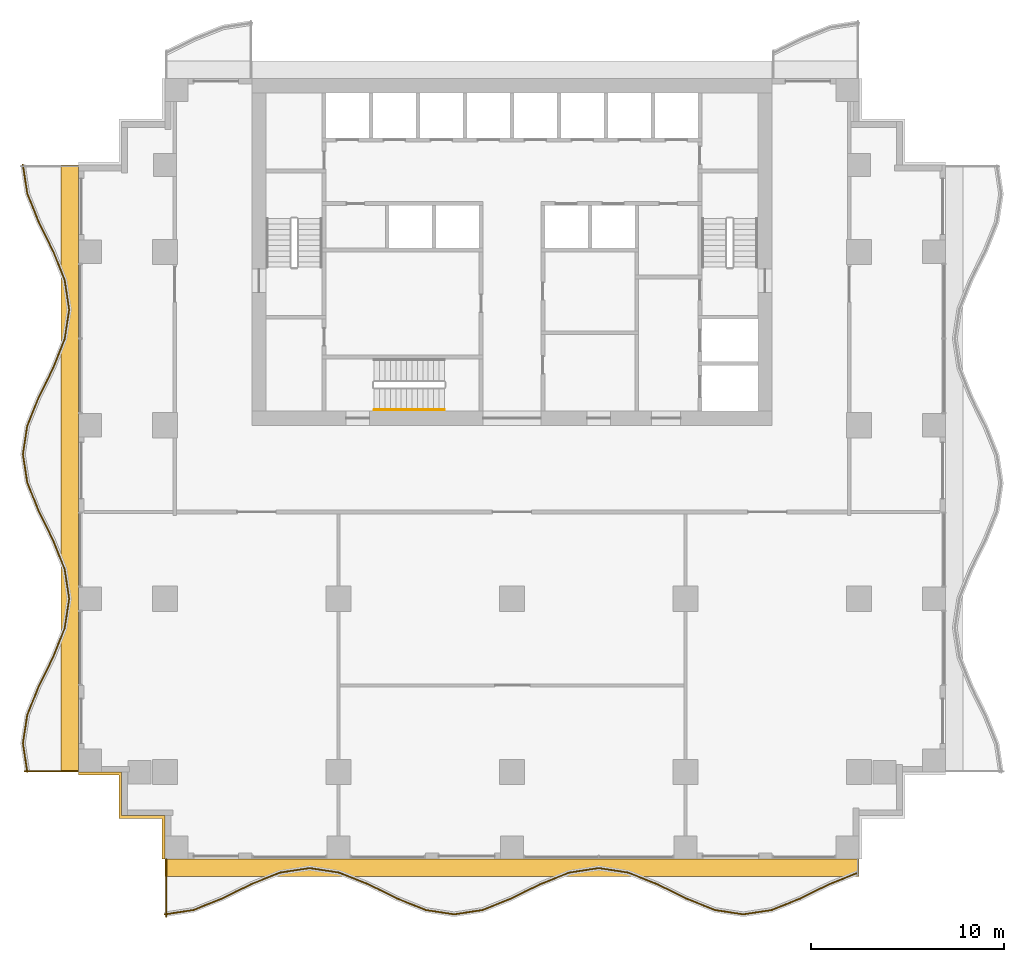
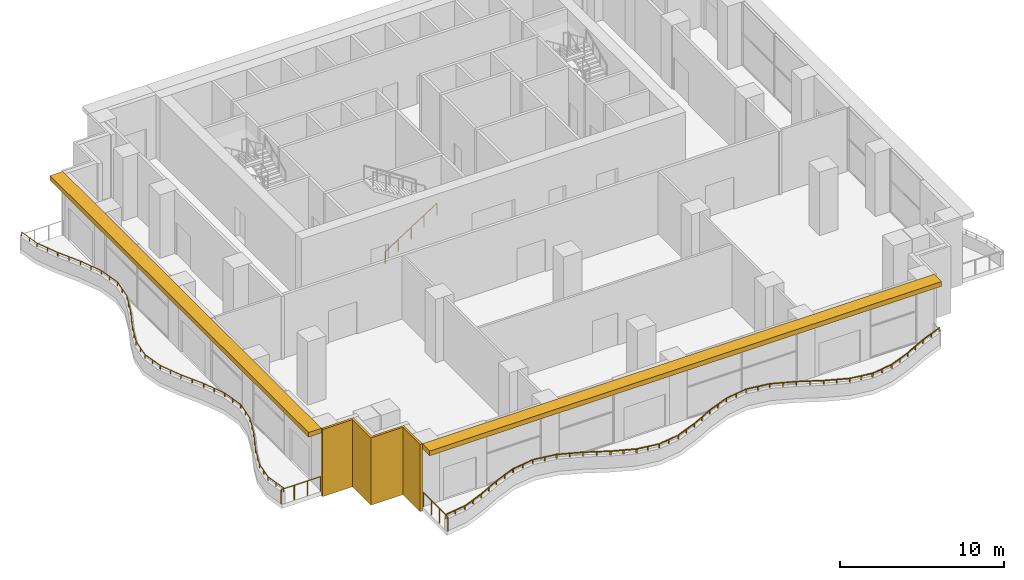
# One storey, part 11 of 14: 5 railings, 3 shading devices.
"""IFC4 building model written with IfcOpenShell, lengths in metres."""

import ifcopenshell
import ifcopenshell.guid

model = None  # the IFC model being written
_history = None  # IfcOwnerHistory: only IFC2X3 demands one
_inside = {}  # id of a spatial element -> (the spatial element, [elements in it])
_under = {}  # id of a project, library or spatial element -> (it, [spatial elements below it])
_declared = {}  # id of a project -> (the project, [libraries it declares])
_typed = {}  # id of a type object -> (the type object, [elements of that type])
_made_of = {}  # id of a material, layer set ... -> (it, [elements and type objects made of it])


def new_model(schema):
    """Start an empty IFC model of exactly this schema.

    Asked for "IFC4X3", IfcOpenShell would pick the latest addendum, in which some entities
    have other attributes; the version numbers below select the first issue.
    IFC2X3 requires an IfcOwnerHistory on every rooted entity: one is made here for all.
    """
    global model, _history
    if schema == "IFC4X3":
        model = ifcopenshell.file(schema_version=(4, 3, 0, 0))
    else:
        model = ifcopenshell.file(schema=schema)
    _inside.clear()
    _under.clear()
    _declared.clear()
    _typed.clear()
    _made_of.clear()
    _history = None
    if model.schema == "IFC2X3":
        org = make("IfcOrganization", Name="unknown")
        user = make(
            "IfcPersonAndOrganization",
            ThePerson=make("IfcPerson", FamilyName="unknown"),
            TheOrganization=org,
        )
        app = make(
            "IfcApplication",
            ApplicationDeveloper=org,
            Version="unknown",
            ApplicationFullName="unknown",
            ApplicationIdentifier="unknown",
        )
        _history = make(
            "IfcOwnerHistory",
            OwningUser=user,
            OwningApplication=app,
            ChangeAction="ADDED",
            CreationDate=0,
        )
    return model


def make(cls, **values):
    """One entity of the class cls with the attributes given. An attribute that is None is left unset."""
    return model.create_entity(
        cls, **{name: value for name, value in values.items() if value is not None}
    )


def rooted(cls, **values):
    """An entity with a GlobalId (a new one), such as an element, a storey or a relation."""
    return make(cls, GlobalId=ifcopenshell.guid.new(), OwnerHistory=_history, **values)


def si_unit(unit_type, name, prefix=None):
    """IfcSIUnit, for example si_unit("LENGTHUNIT", "METRE", prefix="MILLI")."""
    return make("IfcSIUnit", UnitType=unit_type, Prefix=prefix, Name=name)


def assignment(units):
    """IfcUnitAssignment: the units of a project."""
    return None if units is None else make("IfcUnitAssignment", Units=units)


def point(xyz):
    """IfcCartesianPoint."""
    return None if xyz is None else make("IfcCartesianPoint", Coordinates=xyz)


def direction(xyz):
    """IfcDirection."""
    return None if xyz is None else make("IfcDirection", DirectionRatios=xyz)


def frame(location, z_axis=None, x_axis=None):
    """IfcAxis2Placement3D, a coordinate frame: its origin and axes. An axis left out is left unset."""
    return make(
        "IfcAxis2Placement3D",
        Location=point(location),
        Axis=direction(z_axis),
        RefDirection=direction(x_axis),
    )


def frame_2d(location, x_axis=None):
    """IfcAxis2Placement2D, a coordinate frame in the plane: its origin and x axis."""
    return make(
        "IfcAxis2Placement2D", Location=point(location), RefDirection=direction(x_axis)
    )


def origin():
    """The frame at (0, 0, 0) with its axes left unset."""
    return frame((0.0, 0.0, 0.0))


def origin_2d():
    """The frame at (0, 0) in the plane with its x axis left unset."""
    return frame_2d((0.0, 0.0))


def place(relative_to, where):
    """IfcLocalPlacement: puts the frame where relative to a parent placement (None: the world)."""
    return make(
        "IfcLocalPlacement", PlacementRelTo=relative_to, RelativePlacement=where
    )


def context(
    kind, dimensions, precision=None, world=None, true_north=None, identifier=None
):
    """IfcGeometricRepresentationContext, for example the 3D "Model" context."""
    return make(
        "IfcGeometricRepresentationContext",
        ContextIdentifier=identifier,
        ContextType=kind,
        CoordinateSpaceDimension=dimensions,
        Precision=precision,
        WorldCoordinateSystem=world,
        TrueNorth=true_north,
    )


def subcontext(parent, identifier, kind, view, scale=None):
    """IfcGeometricRepresentationSubContext, for example "Body" below "Model"."""
    return make(
        "IfcGeometricRepresentationSubContext",
        ContextIdentifier=identifier,
        ContextType=kind,
        ParentContext=parent,
        TargetScale=scale,
        TargetView=view,
    )


def project(units=None, contexts=None):
    """IfcProject with its units and contexts."""
    return rooted(
        "IfcProject",
        Name="project",
        RepresentationContexts=contexts,
        UnitsInContext=assignment(units),
    )


def spatial(cls, under=None, at=None, **own):
    """A site, building, storey or space (cls), placed at a placement, below another one or the project."""
    s = rooted(cls, ObjectPlacement=at, **own)
    if under is not None:
        _under.setdefault(under.id(), (under, []))[1].append(s)
    return s


def polyline(points):
    """IfcPolyline through the points."""
    return make("IfcPolyline", Points=[point(p) for p in points])


def profile(cls, at=None, kind="AREA", **sizes):
    """A parametric profile (cls). Its sizes go by their IFC names, for example OverallWidth=200.0."""
    return make(cls, ProfileType=kind, Position=at, **sizes)


def rectangle(**sizes):
    """IfcRectangleProfileDef."""
    return profile("IfcRectangleProfileDef", **sizes)


def circle(**sizes):
    """IfcCircleProfileDef."""
    return profile("IfcCircleProfileDef", **sizes)


def outline(outer, holes=None, kind="AREA"):
    """IfcArbitraryClosedProfileDef: a profile drawn as a closed curve; with holes, ...WithVoids."""
    if holes is None:
        return make("IfcArbitraryClosedProfileDef", ProfileType=kind, OuterCurve=outer)
    return make(
        "IfcArbitraryProfileDefWithVoids",
        ProfileType=kind,
        OuterCurve=outer,
        InnerCurves=holes,
    )


def extrude(swept, where, along, depth):
    """IfcExtrudedAreaSolid: the profile swept, set in the frame where, extruded along a direction by depth."""
    return make(
        "IfcExtrudedAreaSolid",
        SweptArea=swept,
        Position=where,
        ExtrudedDirection=direction(along),
        Depth=depth,
    )


def shape(context_of_items, identifier, shape_type, items):
    """IfcShapeRepresentation: the items that make up one representation, for example the "Body"."""
    return make(
        "IfcShapeRepresentation",
        ContextOfItems=context_of_items,
        RepresentationIdentifier=identifier,
        RepresentationType=shape_type,
        Items=items,
    )


def material(Name=None, Category=None):
    """IfcMaterial."""
    return make("IfcMaterial", Name=Name, Category=Category)


def layer(
    of_material, thickness, ventilated=None, Name=None, Category=None, Priority=None
):
    """IfcMaterialLayer: one layer of a wall or slab, of a material (None: an air gap)."""
    return make(
        "IfcMaterialLayer",
        Material=of_material,
        LayerThickness=thickness,
        IsVentilated=ventilated,
        Name=Name,
        Category=Category,
        Priority=Priority,
    )


def layer_set(layers, Name=None):
    """IfcMaterialLayerSet."""
    return make("IfcMaterialLayerSet", MaterialLayers=layers, LayerSetName=Name)


def made_of(thing, what):
    """Note that an element or type object is made of a material, layer set ...; save() writes the relation."""
    if what is not None:
        _made_of.setdefault(what.id(), (what, []))[1].append(thing)
    return thing


def type_object(cls, material=None, **own):
    """A type object (cls), such as IfcWallType, which elements share."""
    return made_of(rooted(cls, **own), material)


def element(
    cls,
    number,
    at=None,
    inside=None,
    cuts=None,
    type_object=None,
    material=None,
    context=None,
    identifier="Body",
    shape_type=None,
    held_by="IfcProductDefinitionShape",
    body=None,
    shapes=None,
    **own,
):
    """One element of the class cls, such as IfcWall. Its Tag is "e" and its number.

    at: its placement. inside: the storey or other place that contains it. cuts: it is an
    opening in that element (IfcRelVoidsElement). A single representation is given by context,
    identifier, shape_type and body (its items); several are given by shapes. held_by: the class
    of the entity that holds the representations. save() writes the other relations.
    """
    e = rooted(cls, Tag="e%d" % number, ObjectPlacement=at, **own)
    if body is not None:
        shapes = [shape(context, identifier, shape_type, body)]
    if shapes is not None:
        e.Representation = make(held_by, Representations=shapes)
    if inside is not None:
        _inside.setdefault(inside.id(), (inside, []))[1].append(e)
    if cuts is not None:
        rooted(
            "IfcRelVoidsElement", RelatingBuildingElement=cuts, RelatedOpeningElement=e
        )
    if type_object is not None:
        _typed.setdefault(type_object.id(), (type_object, []))[1].append(e)
    return made_of(e, material)


def aggregate(whole, parts):
    """IfcRelAggregates: a whole, such as a stair, and the parts it consists of."""
    return rooted("IfcRelAggregates", RelatingObject=whole, RelatedObjects=parts)


def save(model, path):
    """Write the relations noted so far, then the file.

    IfcRelAggregates (storeys below a building ...), IfcRelContainedInSpatialStructure (elements
    in a storey), IfcRelDefinesByType, IfcRelAssociatesMaterial and IfcRelDeclares: one each for
    every whole, place, type object, material and project.
    """
    for whole, parts in _under.values():
        aggregate(whole, parts)
    for where, things in _inside.values():
        rooted(
            "IfcRelContainedInSpatialStructure",
            RelatedElements=things,
            RelatingStructure=where,
        )
    for kind, things in _typed.values():
        rooted("IfcRelDefinesByType", RelatedObjects=things, RelatingType=kind)
    for what, things in _made_of.values():
        rooted("IfcRelAssociatesMaterial", RelatedObjects=things, RelatingMaterial=what)
    for by, libraries in _declared.values():
        rooted("IfcRelDeclares", RelatingContext=by, RelatedDefinitions=libraries)
    model.write(path)


model = new_model("IFC4")

# Units and contexts
model_context = context("Model", 3, precision=1e-05, world=origin(), true_north=direction((0.0, 1.0)))
body_context = subcontext(model_context, "Body", "Model", "MODEL_VIEW")
ifc_project = project(units=[si_unit("LENGTHUNIT", "METRE"), si_unit("AREAUNIT", "SQUARE_METRE"), si_unit("VOLUMEUNIT", "CUBIC_METRE"), si_unit("PLANEANGLEUNIT", "RADIAN"), si_unit("MASSUNIT", "GRAM", prefix="KILO")], contexts=[model_context])

# Site, building, storey
site_placement = place(None, origin())
site = spatial("IfcSite", under=ifc_project, at=site_placement, CompositionType="ELEMENT")
building_placement = place(site_placement, origin())
building = spatial("IfcBuilding", under=site, at=building_placement, Name="Orbiselva Terraces", CompositionType="ELEMENT")
storey_placement = place(building_placement, frame((0.0, 0.0, 120.0)))
storey = spatial("IfcBuildingStorey", under=building, at=storey_placement, Name="L30", CompositionType="ELEMENT", Elevation=120.0)

# Railings
ifc_material_1 = material(Name="Stainless steel", Category="steel")
railing_type_1 = type_object("IfcRailingType", Name="CORE-HANDRAIL-900", PredefinedType="HANDRAIL", material=ifc_material_1)
railing_1_placement = place(storey_placement, frame((-7.15, 5.3, 0.178571)))
element("IfcRailing", 1, at=railing_1_placement, inside=storey, type_object=railing_type_1, Name="L30 S3 stair handrail 1", PredefinedType="HANDRAIL", context=body_context, shape_type="SweptSolid", body=[
    extrude(circle(Radius=0.024, at=origin_2d()), frame((0.0, 0.0, 0.876), z_axis=(0.843129645223, 0.0, 0.537710332192), x_axis=(0.0, 1.0, 0.0)), (0.0, 0.0, 1.0), 4.317248),
    extrude(circle(Radius=0.021, at=origin_2d()), origin(), (0.0, 0.0, 1.0), 0.852),
    extrude(circle(Radius=0.021, at=origin_2d()), frame((0.91, 0.0, 0.580357)), (0.0, 0.0, 1.0), 0.852),
    extrude(circle(Radius=0.021, at=origin_2d()), frame((1.82, 0.0, 1.160714)), (0.0, 0.0, 1.0), 0.852),
    extrude(circle(Radius=0.021, at=origin_2d()), frame((2.73, 0.0, 1.741072)), (0.0, 0.0, 1.0), 0.852),
    extrude(circle(Radius=0.021, at=origin_2d()), frame((3.64, 0.0, 2.321429)), (0.0, 0.0, 1.0), 0.852),
])
ifc_material_2 = material(Name="Bonded two-ply safety glass balustrade, stainless steel posts", Category="steel")
railing_type_2 = type_object("IfcRailingType", Name="ENV-BALUSTRADE-1200", PredefinedType="BALUSTRADE", material=ifc_material_2)
railing_2_placement = place(storey_placement, frame((-18.018879, -20.876434, 0.9)))
element("IfcRailing", 2, at=railing_2_placement, inside=storey, type_object=railing_type_2, Name="Balcony balustrade L30 S", PredefinedType="BALUSTRADE", context=body_context, shape_type="SweptSolid", body=[
    extrude(outline(polyline([(0.028868, 0.0), (0.014434, 0.025), (-0.014434, 0.025), (-0.028868, 0.0), (-0.014434, -0.025), (0.014434, -0.025), (0.028868, 0.0)])), frame((0.0, 0.0, 0.275), z_axis=(0.988528552748, 0.151034103443, 0.0), x_axis=(-0.151034103443, 0.988528552748, 0.0)), (0.0, 0.0, 1.0), 1.503038),
    extrude(outline(polyline([(0.028868, 0.0), (0.014434, 0.025), (-0.014434, 0.025), (-0.028868, 0.0), (-0.014434, -0.025), (0.014434, -0.025), (0.028868, 0.0)])), frame((1.485796, 0.22701, 0.275), z_axis=(0.928476561272, 0.371391000387, 0.0), x_axis=(-0.371391000387, 0.928476561272, 0.0)), (0.0, 0.0, 1.0), 1.596261),
    extrude(outline(polyline([(0.028868, 0.0), (0.014434, 0.025), (-0.014434, 0.025), (-0.028868, 0.0), (-0.014434, -0.025), (0.014434, -0.025), (0.028868, 0.0)])), frame((2.967887, 0.819847, 0.275), z_axis=(0.896416672454, 0.443212307306, 0.0), x_axis=(-0.443212307306, 0.896416672454, 0.0)), (0.0, 0.0, 1.0), 1.673329),
    extrude(outline(polyline([(0.028868, 0.0), (0.014434, 0.025), (-0.014434, 0.025), (-0.028868, 0.0), (-0.014434, -0.025), (0.014434, -0.025), (0.028868, 0.0)])), frame((4.467887, 1.561487, 0.275), z_axis=(0.92847681744, 0.371390359967, 0.0), x_axis=(-0.371390359967, 0.92847681744, 0.0)), (0.0, 0.0, 1.0), 1.634838),
    extrude(outline(polyline([(0.028868, 0.0), (0.014434, 0.025), (-0.014434, 0.025), (-0.028868, 0.0), (-0.014434, -0.025), (0.014434, -0.025), (0.028868, 0.0)])), frame((5.985796, 2.16865, 0.275), z_axis=(0.988528536275, 0.151034211256, 0.0), x_axis=(-0.151034211256, 0.988528536275, 0.0)), (0.0, 0.0, 1.0), 1.550874),
    extrude(outline(polyline([(0.028868, 0.0), (0.014434, 0.025), (-0.014434, 0.025), (-0.028868, 0.0), (-0.014434, -0.025), (0.014434, -0.025), (0.028868, 0.0)])), frame((7.518879, 2.402885, 0.275), z_axis=(0.988528536275, -0.151034211256, 0.0), x_axis=(0.151034211256, 0.988528536275, 0.0)), (0.0, 0.0, 1.0), 1.550874),
    extrude(outline(polyline([(0.028868, 0.0), (0.014434, 0.025), (-0.014434, 0.025), (-0.028868, 0.0), (-0.014434, -0.025), (0.014434, -0.025), (0.028868, 0.0)])), frame((9.051962, 2.16865, 0.275), z_axis=(0.92847681744, -0.371390359967, 0.0), x_axis=(0.371390359967, 0.92847681744, 0.0)), (0.0, 0.0, 1.0), 1.634838),
    extrude(outline(polyline([(0.028868, 0.0), (0.014434, 0.025), (-0.014434, 0.025), (-0.028868, 0.0), (-0.014434, -0.025), (0.014434, -0.025), (0.028868, 0.0)])), frame((10.569871, 1.561487, 0.275), z_axis=(0.896416672454, -0.443212307306, 0.0), x_axis=(0.443212307306, 0.896416672454, 0.0)), (0.0, 0.0, 1.0), 1.673329),
    extrude(outline(polyline([(0.028868, 0.0), (0.014434, 0.025), (-0.014434, 0.025), (-0.028868, 0.0), (-0.014434, -0.025), (0.014434, -0.025), (0.028868, 0.0)])), frame((12.069871, 0.819847, 0.275), z_axis=(0.928476561272, -0.371391000387, 0.0), x_axis=(0.371391000387, 0.928476561272, 0.0)), (0.0, 0.0, 1.0), 1.596261),
    extrude(outline(polyline([(0.028868, 0.0), (0.014434, 0.025), (-0.014434, 0.025), (-0.028868, 0.0), (-0.014434, -0.025), (0.014434, -0.025), (0.028868, 0.0)])), frame((13.551962, 0.22701, 0.275), z_axis=(0.988528606898, -0.151033749027, 0.0), x_axis=(0.151033749027, 0.988528606898, 0.0)), (0.0, 0.0, 1.0), 1.48394),
    extrude(outline(polyline([(0.028868, 0.0), (0.014434, 0.025), (-0.014434, 0.025), (-0.028868, 0.0), (-0.014434, -0.025), (0.014434, -0.025), (0.028868, 0.0)])), frame((15.018879, 0.002885, 0.275), z_axis=(0.988528606898, 0.151033749027, 0.0), x_axis=(-0.151033749027, 0.988528606898, 0.0)), (0.0, 0.0, 1.0), 1.48394),
    extrude(outline(polyline([(0.028868, 0.0), (0.014434, 0.025), (-0.014434, 0.025), (-0.028868, 0.0), (-0.014434, -0.025), (0.014434, -0.025), (0.028868, 0.0)])), frame((16.485796, 0.22701, 0.275), z_axis=(0.928476561272, 0.371391000387, 0.0), x_axis=(-0.371391000387, 0.928476561272, 0.0)), (0.0, 0.0, 1.0), 1.596261),
    extrude(outline(polyline([(0.028868, 0.0), (0.014434, 0.025), (-0.014434, 0.025), (-0.028868, 0.0), (-0.014434, -0.025), (0.014434, -0.025), (0.028868, 0.0)])), frame((17.967887, 0.819847, 0.275), z_axis=(0.896416672454, 0.443212307306, 0.0), x_axis=(-0.443212307306, 0.896416672454, 0.0)), (0.0, 0.0, 1.0), 1.673329),
    extrude(outline(polyline([(0.028868, 0.0), (0.014434, 0.025), (-0.014434, 0.025), (-0.028868, 0.0), (-0.014434, -0.025), (0.014434, -0.025), (0.028868, 0.0)])), frame((19.467887, 1.561487, 0.275), z_axis=(0.92847681744, 0.371390359967, 0.0), x_axis=(-0.371390359967, 0.92847681744, 0.0)), (0.0, 0.0, 1.0), 1.634838),
    extrude(outline(polyline([(0.028868, 0.0), (0.014434, 0.025), (-0.014434, 0.025), (-0.028868, 0.0), (-0.014434, -0.025), (0.014434, -0.025), (0.028868, 0.0)])), frame((20.985796, 2.16865, 0.275), z_axis=(0.988528536275, 0.151034211256, 0.0), x_axis=(-0.151034211256, 0.988528536275, 0.0)), (0.0, 0.0, 1.0), 1.550874),
    extrude(outline(polyline([(0.028868, 0.0), (0.014434, 0.025), (-0.014434, 0.025), (-0.028868, 0.0), (-0.014434, -0.025), (0.014434, -0.025), (0.028868, 0.0)])), frame((22.518879, 2.402885, 0.275), z_axis=(0.988528536275, -0.151034211256, 0.0), x_axis=(0.151034211256, 0.988528536275, 0.0)), (0.0, 0.0, 1.0), 1.550874),
    extrude(outline(polyline([(0.028868, 0.0), (0.014434, 0.025), (-0.014434, 0.025), (-0.028868, 0.0), (-0.014434, -0.025), (0.014434, -0.025), (0.028868, 0.0)])), frame((24.051962, 2.16865, 0.275), z_axis=(0.92847681744, -0.371390359967, 0.0), x_axis=(0.371390359967, 0.92847681744, 0.0)), (0.0, 0.0, 1.0), 1.634838),
    extrude(outline(polyline([(0.028868, 0.0), (0.014434, 0.025), (-0.014434, 0.025), (-0.028868, 0.0), (-0.014434, -0.025), (0.014434, -0.025), (0.028868, 0.0)])), frame((25.569871, 1.561487, 0.275), z_axis=(0.896416672454, -0.443212307306, 0.0), x_axis=(0.443212307306, 0.896416672454, 0.0)), (0.0, 0.0, 1.0), 1.673329),
    extrude(outline(polyline([(0.028868, 0.0), (0.014434, 0.025), (-0.014434, 0.025), (-0.028868, 0.0), (-0.014434, -0.025), (0.014434, -0.025), (0.028868, 0.0)])), frame((27.069871, 0.819847, 0.275), z_axis=(0.928476561272, -0.371391000387, 0.0), x_axis=(0.371391000387, 0.928476561272, 0.0)), (0.0, 0.0, 1.0), 1.596261),
    extrude(outline(polyline([(0.028868, 0.0), (0.014434, 0.025), (-0.014434, 0.025), (-0.028868, 0.0), (-0.014434, -0.025), (0.014434, -0.025), (0.028868, 0.0)])), frame((28.551962, 0.22701, 0.275), z_axis=(0.988528606898, -0.151033749027, 0.0), x_axis=(0.151033749027, 0.988528606898, 0.0)), (0.0, 0.0, 1.0), 1.48394),
    extrude(outline(polyline([(0.028868, 0.0), (0.014434, 0.025), (-0.014434, 0.025), (-0.028868, 0.0), (-0.014434, -0.025), (0.014434, -0.025), (0.028868, 0.0)])), frame((30.018879, 0.002885, 0.275), z_axis=(0.988528606898, 0.151033749027, 0.0), x_axis=(-0.151033749027, 0.988528606898, 0.0)), (0.0, 0.0, 1.0), 1.48394),
    extrude(outline(polyline([(0.028868, 0.0), (0.014434, 0.025), (-0.014434, 0.025), (-0.028868, 0.0), (-0.014434, -0.025), (0.014434, -0.025), (0.028868, 0.0)])), frame((31.485796, 0.22701, 0.275), z_axis=(0.928476561272, 0.371391000387, 0.0), x_axis=(-0.371391000387, 0.928476561272, 0.0)), (0.0, 0.0, 1.0), 1.596261),
    extrude(outline(polyline([(0.028868, 0.0), (0.014434, 0.025), (-0.014434, 0.025), (-0.028868, 0.0), (-0.014434, -0.025), (0.014434, -0.025), (0.028868, 0.0)])), frame((32.967887, 0.819847, 0.275), z_axis=(0.896416672454, 0.443212307306, 0.0), x_axis=(-0.443212307306, 0.896416672454, 0.0)), (0.0, 0.0, 1.0), 1.673329),
    extrude(outline(polyline([(0.028868, 0.0), (0.014434, 0.025), (-0.014434, 0.025), (-0.028868, 0.0), (-0.014434, -0.025), (0.014434, -0.025), (0.028868, 0.0)])), frame((34.467887, 1.561487, 0.275), z_axis=(0.928476733444, 0.371390569957, 0.0), x_axis=(-0.371390569957, 0.928476733444, 0.0)), (0.0, 0.0, 1.0), 1.620469),
    extrude(rectangle(XDim=0.05, YDim=0.05, at=origin_2d()), origin(), (0.0, 0.0, 1.0), 0.25),
    extrude(rectangle(XDim=0.05, YDim=0.05, at=origin_2d()), frame((0.742898, 0.113505, 0.0)), (0.0, 0.0, 1.0), 0.25),
    extrude(rectangle(XDim=0.05, YDim=0.05, at=origin_2d()), frame((1.485796, 0.22701, 0.0)), (0.0, 0.0, 1.0), 0.25),
    extrude(rectangle(XDim=0.05, YDim=0.05, at=origin_2d()), frame((2.226841, 0.523428, 0.0)), (0.0, 0.0, 1.0), 0.25),
    extrude(rectangle(XDim=0.05, YDim=0.05, at=origin_2d()), frame((2.967887, 0.819847, 0.0)), (0.0, 0.0, 1.0), 0.25),
    extrude(rectangle(XDim=0.05, YDim=0.05, at=origin_2d()), frame((3.717887, 1.190667, 0.0)), (0.0, 0.0, 1.0), 0.25),
    extrude(rectangle(XDim=0.05, YDim=0.05, at=origin_2d()), frame((4.467887, 1.561487, 0.0)), (0.0, 0.0, 1.0), 0.25),
    extrude(rectangle(XDim=0.05, YDim=0.05, at=origin_2d()), frame((5.226841, 1.865068, 0.0)), (0.0, 0.0, 1.0), 0.25),
    extrude(rectangle(XDim=0.05, YDim=0.05, at=origin_2d()), frame((5.985796, 2.16865, 0.0)), (0.0, 0.0, 1.0), 0.25),
    extrude(rectangle(XDim=0.05, YDim=0.05, at=origin_2d()), frame((6.752337, 2.285768, 0.0)), (0.0, 0.0, 1.0), 0.25),
    extrude(rectangle(XDim=0.05, YDim=0.05, at=origin_2d()), frame((7.518879, 2.402885, 0.0)), (0.0, 0.0, 1.0), 0.25),
    extrude(rectangle(XDim=0.05, YDim=0.05, at=origin_2d()), frame((8.28542, 2.285768, 0.0)), (0.0, 0.0, 1.0), 0.25),
    extrude(rectangle(XDim=0.05, YDim=0.05, at=origin_2d()), frame((9.051962, 2.16865, 0.0)), (0.0, 0.0, 1.0), 0.25),
    extrude(rectangle(XDim=0.05, YDim=0.05, at=origin_2d()), frame((9.810916, 1.865068, 0.0)), (0.0, 0.0, 1.0), 0.25),
    extrude(rectangle(XDim=0.05, YDim=0.05, at=origin_2d()), frame((10.569871, 1.561487, 0.0)), (0.0, 0.0, 1.0), 0.25),
    extrude(rectangle(XDim=0.05, YDim=0.05, at=origin_2d()), frame((11.319871, 1.190667, 0.0)), (0.0, 0.0, 1.0), 0.25),
    extrude(rectangle(XDim=0.05, YDim=0.05, at=origin_2d()), frame((12.069871, 0.819847, 0.0)), (0.0, 0.0, 1.0), 0.25),
    extrude(rectangle(XDim=0.05, YDim=0.05, at=origin_2d()), frame((12.810916, 0.523428, 0.0)), (0.0, 0.0, 1.0), 0.25),
    extrude(rectangle(XDim=0.05, YDim=0.05, at=origin_2d()), frame((13.551962, 0.22701, 0.0)), (0.0, 0.0, 1.0), 0.25),
    extrude(rectangle(XDim=0.05, YDim=0.05, at=origin_2d()), frame((14.28542, 0.114947, 0.0)), (0.0, 0.0, 1.0), 0.25),
    extrude(rectangle(XDim=0.05, YDim=0.05, at=origin_2d()), frame((15.018879, 0.002885, 0.0)), (0.0, 0.0, 1.0), 0.25),
    extrude(rectangle(XDim=0.05, YDim=0.05, at=origin_2d()), frame((15.752337, 0.114947, 0.0)), (0.0, 0.0, 1.0), 0.25),
    extrude(rectangle(XDim=0.05, YDim=0.05, at=origin_2d()), frame((16.485796, 0.22701, 0.0)), (0.0, 0.0, 1.0), 0.25),
    extrude(rectangle(XDim=0.05, YDim=0.05, at=origin_2d()), frame((17.226842, 0.523428, 0.0)), (0.0, 0.0, 1.0), 0.25),
    extrude(rectangle(XDim=0.05, YDim=0.05, at=origin_2d()), frame((17.967887, 0.819847, 0.0)), (0.0, 0.0, 1.0), 0.25),
    extrude(rectangle(XDim=0.05, YDim=0.05, at=origin_2d()), frame((18.717887, 1.190667, 0.0)), (0.0, 0.0, 1.0), 0.25),
    extrude(rectangle(XDim=0.05, YDim=0.05, at=origin_2d()), frame((19.467887, 1.561487, 0.0)), (0.0, 0.0, 1.0), 0.25),
    extrude(rectangle(XDim=0.05, YDim=0.05, at=origin_2d()), frame((20.226842, 1.865068, 0.0)), (0.0, 0.0, 1.0), 0.25),
    extrude(rectangle(XDim=0.05, YDim=0.05, at=origin_2d()), frame((20.985796, 2.16865, 0.0)), (0.0, 0.0, 1.0), 0.25),
    extrude(rectangle(XDim=0.05, YDim=0.05, at=origin_2d()), frame((21.752337, 2.285768, 0.0)), (0.0, 0.0, 1.0), 0.25),
    extrude(rectangle(XDim=0.05, YDim=0.05, at=origin_2d()), frame((22.518879, 2.402885, 0.0)), (0.0, 0.0, 1.0), 0.25),
    extrude(rectangle(XDim=0.05, YDim=0.05, at=origin_2d()), frame((23.28542, 2.285768, 0.0)), (0.0, 0.0, 1.0), 0.25),
    extrude(rectangle(XDim=0.05, YDim=0.05, at=origin_2d()), frame((24.051962, 2.16865, 0.0)), (0.0, 0.0, 1.0), 0.25),
    extrude(rectangle(XDim=0.05, YDim=0.05, at=origin_2d()), frame((24.810916, 1.865068, 0.0)), (0.0, 0.0, 1.0), 0.25),
    extrude(rectangle(XDim=0.05, YDim=0.05, at=origin_2d()), frame((25.569871, 1.561487, 0.0)), (0.0, 0.0, 1.0), 0.25),
    extrude(rectangle(XDim=0.05, YDim=0.05, at=origin_2d()), frame((26.319871, 1.190667, 0.0)), (0.0, 0.0, 1.0), 0.25),
    extrude(rectangle(XDim=0.05, YDim=0.05, at=origin_2d()), frame((27.069871, 0.819847, 0.0)), (0.0, 0.0, 1.0), 0.25),
    extrude(rectangle(XDim=0.05, YDim=0.05, at=origin_2d()), frame((27.810916, 0.523428, 0.0)), (0.0, 0.0, 1.0), 0.25),
    extrude(rectangle(XDim=0.05, YDim=0.05, at=origin_2d()), frame((28.551962, 0.22701, 0.0)), (0.0, 0.0, 1.0), 0.25),
    extrude(rectangle(XDim=0.05, YDim=0.05, at=origin_2d()), frame((29.28542, 0.114947, 0.0)), (0.0, 0.0, 1.0), 0.25),
    extrude(rectangle(XDim=0.05, YDim=0.05, at=origin_2d()), frame((30.018879, 0.002885, 0.0)), (0.0, 0.0, 1.0), 0.25),
    extrude(rectangle(XDim=0.05, YDim=0.05, at=origin_2d()), frame((30.752338, 0.114947, 0.0)), (0.0, 0.0, 1.0), 0.25),
    extrude(rectangle(XDim=0.05, YDim=0.05, at=origin_2d()), frame((31.485796, 0.22701, 0.0)), (0.0, 0.0, 1.0), 0.25),
    extrude(rectangle(XDim=0.05, YDim=0.05, at=origin_2d()), frame((32.226842, 0.523428, 0.0)), (0.0, 0.0, 1.0), 0.25),
    extrude(rectangle(XDim=0.05, YDim=0.05, at=origin_2d()), frame((32.967887, 0.819847, 0.0)), (0.0, 0.0, 1.0), 0.25),
    extrude(rectangle(XDim=0.05, YDim=0.05, at=origin_2d()), frame((33.717887, 1.190667, 0.0)), (0.0, 0.0, 1.0), 0.25),
    extrude(rectangle(XDim=0.05, YDim=0.05, at=origin_2d()), frame((34.467887, 1.561487, 0.0)), (0.0, 0.0, 1.0), 0.25),
    extrude(rectangle(XDim=0.05, YDim=0.05, at=origin_2d()), frame((35.220171, 1.8624, 0.0)), (0.0, 0.0, 1.0), 0.25),
    extrude(rectangle(XDim=0.05, YDim=0.05, at=origin_2d()), frame((35.972455, 2.163314, 0.0)), (0.0, 0.0, 1.0), 0.25),
])
railing_3_placement = place(storey_placement, frame((-25.376434, 18.018879, 0.9)))
element("IfcRailing", 3, at=railing_3_placement, inside=storey, type_object=railing_type_2, Name="Balcony balustrade L30 W", PredefinedType="BALUSTRADE", context=body_context, shape_type="SweptSolid", body=[
    extrude(outline(polyline([(0.028868, 0.0), (0.014434, 0.025), (-0.014434, 0.025), (-0.028868, 0.0), (-0.014434, -0.025), (0.014434, -0.025), (0.028868, 0.0)])), frame((0.0, 0.0, 0.275), z_axis=(0.151034103443, -0.988528552748, 0.0), x_axis=(0.988528552748, 0.151034103443, 0.0)), (0.0, 0.0, 1.0), 1.503038),
    extrude(outline(polyline([(0.028868, 0.0), (0.014434, 0.025), (-0.014434, 0.025), (-0.028868, 0.0), (-0.014434, -0.025), (0.014434, -0.025), (0.028868, 0.0)])), frame((0.22701, -1.485796, 0.275), z_axis=(0.371391000387, -0.928476561272, 0.0), x_axis=(0.928476561272, 0.371391000387, 0.0)), (0.0, 0.0, 1.0), 1.596261),
    extrude(outline(polyline([(0.028868, 0.0), (0.014434, 0.025), (-0.014434, 0.025), (-0.028868, 0.0), (-0.014434, -0.025), (0.014434, -0.025), (0.028868, 0.0)])), frame((0.819847, -2.967887, 0.275), z_axis=(0.443212307306, -0.896416672454, 0.0), x_axis=(0.896416672454, 0.443212307306, 0.0)), (0.0, 0.0, 1.0), 1.673329),
    extrude(outline(polyline([(0.028868, 0.0), (0.014434, 0.025), (-0.014434, 0.025), (-0.028868, 0.0), (-0.014434, -0.025), (0.014434, -0.025), (0.028868, 0.0)])), frame((1.561487, -4.467887, 0.275), z_axis=(0.371390359967, -0.92847681744, 0.0), x_axis=(0.92847681744, 0.371390359967, 0.0)), (0.0, 0.0, 1.0), 1.634838),
    extrude(outline(polyline([(0.028868, 0.0), (0.014434, 0.025), (-0.014434, 0.025), (-0.028868, 0.0), (-0.014434, -0.025), (0.014434, -0.025), (0.028868, 0.0)])), frame((2.16865, -5.985796, 0.275), z_axis=(0.151034211256, -0.988528536275, 0.0), x_axis=(0.988528536275, 0.151034211256, 0.0)), (0.0, 0.0, 1.0), 1.550874),
    extrude(outline(polyline([(0.028868, 0.0), (0.014434, 0.025), (-0.014434, 0.025), (-0.028868, 0.0), (-0.014434, -0.025), (0.014434, -0.025), (0.028868, 0.0)])), frame((2.402885, -7.518879, 0.275), z_axis=(-0.151034211256, -0.988528536275, 0.0), x_axis=(0.988528536275, -0.151034211256, 0.0)), (0.0, 0.0, 1.0), 1.550874),
    extrude(outline(polyline([(0.028868, 0.0), (0.014434, 0.025), (-0.014434, 0.025), (-0.028868, 0.0), (-0.014434, -0.025), (0.014434, -0.025), (0.028868, 0.0)])), frame((2.16865, -9.051962, 0.275), z_axis=(-0.371390359967, -0.92847681744, 0.0), x_axis=(0.92847681744, -0.371390359967, 0.0)), (0.0, 0.0, 1.0), 1.634838),
    extrude(outline(polyline([(0.028868, 0.0), (0.014434, 0.025), (-0.014434, 0.025), (-0.028868, 0.0), (-0.014434, -0.025), (0.014434, -0.025), (0.028868, 0.0)])), frame((1.561487, -10.569871, 0.275), z_axis=(-0.443212307306, -0.896416672454, 0.0), x_axis=(0.896416672454, -0.443212307306, 0.0)), (0.0, 0.0, 1.0), 1.673329),
    extrude(outline(polyline([(0.028868, 0.0), (0.014434, 0.025), (-0.014434, 0.025), (-0.028868, 0.0), (-0.014434, -0.025), (0.014434, -0.025), (0.028868, 0.0)])), frame((0.819847, -12.069871, 0.275), z_axis=(-0.371391000387, -0.928476561272, 0.0), x_axis=(0.928476561272, -0.371391000387, 0.0)), (0.0, 0.0, 1.0), 1.596261),
    extrude(outline(polyline([(0.028868, 0.0), (0.014434, 0.025), (-0.014434, 0.025), (-0.028868, 0.0), (-0.014434, -0.025), (0.014434, -0.025), (0.028868, 0.0)])), frame((0.22701, -13.551962, 0.275), z_axis=(-0.151033749027, -0.988528606898, 0.0), x_axis=(0.988528606898, -0.151033749027, 0.0)), (0.0, 0.0, 1.0), 1.48394),
    extrude(outline(polyline([(0.028868, 0.0), (0.014434, 0.025), (-0.014434, 0.025), (-0.028868, 0.0), (-0.014434, -0.025), (0.014434, -0.025), (0.028868, 0.0)])), frame((0.002885, -15.018879, 0.275), z_axis=(0.151033749027, -0.988528606898, 0.0), x_axis=(0.988528606898, 0.151033749027, 0.0)), (0.0, 0.0, 1.0), 1.48394),
    extrude(outline(polyline([(0.028868, 0.0), (0.014434, 0.025), (-0.014434, 0.025), (-0.028868, 0.0), (-0.014434, -0.025), (0.014434, -0.025), (0.028868, 0.0)])), frame((0.22701, -16.485796, 0.275), z_axis=(0.371391000387, -0.928476561272, 0.0), x_axis=(0.928476561272, 0.371391000387, 0.0)), (0.0, 0.0, 1.0), 1.596261),
    extrude(outline(polyline([(0.028868, 0.0), (0.014434, 0.025), (-0.014434, 0.025), (-0.028868, 0.0), (-0.014434, -0.025), (0.014434, -0.025), (0.028868, 0.0)])), frame((0.819847, -17.967887, 0.275), z_axis=(0.443212307306, -0.896416672454, 0.0), x_axis=(0.896416672454, 0.443212307306, 0.0)), (0.0, 0.0, 1.0), 1.673329),
    extrude(outline(polyline([(0.028868, 0.0), (0.014434, 0.025), (-0.014434, 0.025), (-0.028868, 0.0), (-0.014434, -0.025), (0.014434, -0.025), (0.028868, 0.0)])), frame((1.561487, -19.467887, 0.275), z_axis=(0.371390359967, -0.92847681744, 0.0), x_axis=(0.92847681744, 0.371390359967, 0.0)), (0.0, 0.0, 1.0), 1.634838),
    extrude(outline(polyline([(0.028868, 0.0), (0.014434, 0.025), (-0.014434, 0.025), (-0.028868, 0.0), (-0.014434, -0.025), (0.014434, -0.025), (0.028868, 0.0)])), frame((2.16865, -20.985796, 0.275), z_axis=(0.151034211256, -0.988528536275, 0.0), x_axis=(0.988528536275, 0.151034211256, 0.0)), (0.0, 0.0, 1.0), 1.550874),
    extrude(outline(polyline([(0.028868, 0.0), (0.014434, 0.025), (-0.014434, 0.025), (-0.028868, 0.0), (-0.014434, -0.025), (0.014434, -0.025), (0.028868, 0.0)])), frame((2.402885, -22.518879, 0.275), z_axis=(-0.151034211256, -0.988528536275, 0.0), x_axis=(0.988528536275, -0.151034211256, 0.0)), (0.0, 0.0, 1.0), 1.550874),
    extrude(outline(polyline([(0.028868, 0.0), (0.014434, 0.025), (-0.014434, 0.025), (-0.028868, 0.0), (-0.014434, -0.025), (0.014434, -0.025), (0.028868, 0.0)])), frame((2.16865, -24.051962, 0.275), z_axis=(-0.371390359967, -0.92847681744, 0.0), x_axis=(0.92847681744, -0.371390359967, 0.0)), (0.0, 0.0, 1.0), 1.634838),
    extrude(outline(polyline([(0.028868, 0.0), (0.014434, 0.025), (-0.014434, 0.025), (-0.028868, 0.0), (-0.014434, -0.025), (0.014434, -0.025), (0.028868, 0.0)])), frame((1.561487, -25.569871, 0.275), z_axis=(-0.443212307306, -0.896416672454, 0.0), x_axis=(0.896416672454, -0.443212307306, 0.0)), (0.0, 0.0, 1.0), 1.673329),
    extrude(outline(polyline([(0.028868, 0.0), (0.014434, 0.025), (-0.014434, 0.025), (-0.028868, 0.0), (-0.014434, -0.025), (0.014434, -0.025), (0.028868, 0.0)])), frame((0.819847, -27.069871, 0.275), z_axis=(-0.371391000387, -0.928476561272, 0.0), x_axis=(0.928476561272, -0.371391000387, 0.0)), (0.0, 0.0, 1.0), 1.596261),
    extrude(outline(polyline([(0.028868, 0.0), (0.014434, 0.025), (-0.014434, 0.025), (-0.028868, 0.0), (-0.014434, -0.025), (0.014434, -0.025), (0.028868, 0.0)])), frame((0.22701, -28.551962, 0.275), z_axis=(-0.151033749027, -0.988528606898, 0.0), x_axis=(0.988528606898, -0.151033749027, 0.0)), (0.0, 0.0, 1.0), 1.48394),
    extrude(outline(polyline([(0.028868, 0.0), (0.014434, 0.025), (-0.014434, 0.025), (-0.028868, 0.0), (-0.014434, -0.025), (0.014434, -0.025), (0.028868, 0.0)])), frame((0.002885, -30.018879, 0.275), z_axis=(0.151033632714, -0.988528624669, 0.0), x_axis=(0.988528624669, 0.151033632714, 0.0)), (0.0, 0.0, 1.0), 1.498309),
    extrude(rectangle(XDim=0.05, YDim=0.05, at=origin_2d()), origin(), (0.0, 0.0, 1.0), 0.25),
    extrude(rectangle(XDim=0.05, YDim=0.05, at=origin_2d()), frame((0.113505, -0.742898, 0.0)), (0.0, 0.0, 1.0), 0.25),
    extrude(rectangle(XDim=0.05, YDim=0.05, at=origin_2d()), frame((0.22701, -1.485796, 0.0)), (0.0, 0.0, 1.0), 0.25),
    extrude(rectangle(XDim=0.05, YDim=0.05, at=origin_2d()), frame((0.523428, -2.226841, 0.0)), (0.0, 0.0, 1.0), 0.25),
    extrude(rectangle(XDim=0.05, YDim=0.05, at=origin_2d()), frame((0.819847, -2.967887, 0.0)), (0.0, 0.0, 1.0), 0.25),
    extrude(rectangle(XDim=0.05, YDim=0.05, at=origin_2d()), frame((1.190667, -3.717887, 0.0)), (0.0, 0.0, 1.0), 0.25),
    extrude(rectangle(XDim=0.05, YDim=0.05, at=origin_2d()), frame((1.561487, -4.467887, 0.0)), (0.0, 0.0, 1.0), 0.25),
    extrude(rectangle(XDim=0.05, YDim=0.05, at=origin_2d()), frame((1.865068, -5.226841, 0.0)), (0.0, 0.0, 1.0), 0.25),
    extrude(rectangle(XDim=0.05, YDim=0.05, at=origin_2d()), frame((2.16865, -5.985796, 0.0)), (0.0, 0.0, 1.0), 0.25),
    extrude(rectangle(XDim=0.05, YDim=0.05, at=origin_2d()), frame((2.285768, -6.752337, 0.0)), (0.0, 0.0, 1.0), 0.25),
    extrude(rectangle(XDim=0.05, YDim=0.05, at=origin_2d()), frame((2.402885, -7.518879, 0.0)), (0.0, 0.0, 1.0), 0.25),
    extrude(rectangle(XDim=0.05, YDim=0.05, at=origin_2d()), frame((2.285768, -8.28542, 0.0)), (0.0, 0.0, 1.0), 0.25),
    extrude(rectangle(XDim=0.05, YDim=0.05, at=origin_2d()), frame((2.16865, -9.051962, 0.0)), (0.0, 0.0, 1.0), 0.25),
    extrude(rectangle(XDim=0.05, YDim=0.05, at=origin_2d()), frame((1.865068, -9.810916, 0.0)), (0.0, 0.0, 1.0), 0.25),
    extrude(rectangle(XDim=0.05, YDim=0.05, at=origin_2d()), frame((1.561487, -10.569871, 0.0)), (0.0, 0.0, 1.0), 0.25),
    extrude(rectangle(XDim=0.05, YDim=0.05, at=origin_2d()), frame((1.190667, -11.319871, 0.0)), (0.0, 0.0, 1.0), 0.25),
    extrude(rectangle(XDim=0.05, YDim=0.05, at=origin_2d()), frame((0.819847, -12.069871, 0.0)), (0.0, 0.0, 1.0), 0.25),
    extrude(rectangle(XDim=0.05, YDim=0.05, at=origin_2d()), frame((0.523428, -12.810916, 0.0)), (0.0, 0.0, 1.0), 0.25),
    extrude(rectangle(XDim=0.05, YDim=0.05, at=origin_2d()), frame((0.22701, -13.551962, 0.0)), (0.0, 0.0, 1.0), 0.25),
    extrude(rectangle(XDim=0.05, YDim=0.05, at=origin_2d()), frame((0.114947, -14.28542, 0.0)), (0.0, 0.0, 1.0), 0.25),
    extrude(rectangle(XDim=0.05, YDim=0.05, at=origin_2d()), frame((0.002885, -15.018879, 0.0)), (0.0, 0.0, 1.0), 0.25),
    extrude(rectangle(XDim=0.05, YDim=0.05, at=origin_2d()), frame((0.114947, -15.752337, 0.0)), (0.0, 0.0, 1.0), 0.25),
    extrude(rectangle(XDim=0.05, YDim=0.05, at=origin_2d()), frame((0.22701, -16.485796, 0.0)), (0.0, 0.0, 1.0), 0.25),
    extrude(rectangle(XDim=0.05, YDim=0.05, at=origin_2d()), frame((0.523428, -17.226842, 0.0)), (0.0, 0.0, 1.0), 0.25),
    extrude(rectangle(XDim=0.05, YDim=0.05, at=origin_2d()), frame((0.819847, -17.967887, 0.0)), (0.0, 0.0, 1.0), 0.25),
    extrude(rectangle(XDim=0.05, YDim=0.05, at=origin_2d()), frame((1.190667, -18.717887, 0.0)), (0.0, 0.0, 1.0), 0.25),
    extrude(rectangle(XDim=0.05, YDim=0.05, at=origin_2d()), frame((1.561487, -19.467887, 0.0)), (0.0, 0.0, 1.0), 0.25),
    extrude(rectangle(XDim=0.05, YDim=0.05, at=origin_2d()), frame((1.865068, -20.226842, 0.0)), (0.0, 0.0, 1.0), 0.25),
    extrude(rectangle(XDim=0.05, YDim=0.05, at=origin_2d()), frame((2.16865, -20.985796, 0.0)), (0.0, 0.0, 1.0), 0.25),
    extrude(rectangle(XDim=0.05, YDim=0.05, at=origin_2d()), frame((2.285768, -21.752337, 0.0)), (0.0, 0.0, 1.0), 0.25),
    extrude(rectangle(XDim=0.05, YDim=0.05, at=origin_2d()), frame((2.402885, -22.518879, 0.0)), (0.0, 0.0, 1.0), 0.25),
    extrude(rectangle(XDim=0.05, YDim=0.05, at=origin_2d()), frame((2.285768, -23.28542, 0.0)), (0.0, 0.0, 1.0), 0.25),
    extrude(rectangle(XDim=0.05, YDim=0.05, at=origin_2d()), frame((2.16865, -24.051962, 0.0)), (0.0, 0.0, 1.0), 0.25),
    extrude(rectangle(XDim=0.05, YDim=0.05, at=origin_2d()), frame((1.865068, -24.810916, 0.0)), (0.0, 0.0, 1.0), 0.25),
    extrude(rectangle(XDim=0.05, YDim=0.05, at=origin_2d()), frame((1.561487, -25.569871, 0.0)), (0.0, 0.0, 1.0), 0.25),
    extrude(rectangle(XDim=0.05, YDim=0.05, at=origin_2d()), frame((1.190667, -26.319871, 0.0)), (0.0, 0.0, 1.0), 0.25),
    extrude(rectangle(XDim=0.05, YDim=0.05, at=origin_2d()), frame((0.819847, -27.069871, 0.0)), (0.0, 0.0, 1.0), 0.25),
    extrude(rectangle(XDim=0.05, YDim=0.05, at=origin_2d()), frame((0.523428, -27.810916, 0.0)), (0.0, 0.0, 1.0), 0.25),
    extrude(rectangle(XDim=0.05, YDim=0.05, at=origin_2d()), frame((0.22701, -28.551962, 0.0)), (0.0, 0.0, 1.0), 0.25),
    extrude(rectangle(XDim=0.05, YDim=0.05, at=origin_2d()), frame((0.114947, -29.28542, 0.0)), (0.0, 0.0, 1.0), 0.25),
    extrude(rectangle(XDim=0.05, YDim=0.05, at=origin_2d()), frame((0.002885, -30.018879, 0.0)), (0.0, 0.0, 1.0), 0.25),
    extrude(rectangle(XDim=0.05, YDim=0.05, at=origin_2d()), frame((0.116032, -30.75944, 0.0)), (0.0, 0.0, 1.0), 0.25),
    extrude(rectangle(XDim=0.05, YDim=0.05, at=origin_2d()), frame((0.22918, -31.5, 0.0)), (0.0, 0.0, 1.0), 0.25),
])
ifc_material_3 = material(Name="Stainless steel rail and posts", Category="steel")
railing_type_3 = type_object("IfcRailingType", Name="ENV-GUARD-1105", PredefinedType="BALUSTRADE", material=ifc_material_3)
railing_4_placement = place(storey_placement, frame((-17.94, -20.999621, 0.0)))
element("IfcRailing", 4, at=railing_4_placement, inside=storey, type_object=railing_type_3, Name="Balcony end guard L30 S", PredefinedType="BALUSTRADE", context=body_context, shape_type="SweptSolid", body=[
    extrude(outline(polyline([(0.028868, 0.0), (0.014434, 0.025), (-0.014434, 0.025), (-0.028868, 0.0), (-0.014434, -0.025), (0.014434, -0.025), (0.028868, 0.0)])), frame((0.0, 0.0, 1.08), z_axis=(0.0, 1.0, 0.0), x_axis=(-1.0, 0.0, 0.0)), (0.0, 0.0, 1.0), 2.974621),
    extrude(rectangle(XDim=0.05, YDim=0.05, at=origin_2d()), origin(), (0.0, 0.0, 1.0), 1.055),
    extrude(rectangle(XDim=0.05, YDim=0.05, at=origin_2d()), frame((0.0, 0.99154, 0.0)), (0.0, 0.0, 1.0), 1.055),
    extrude(rectangle(XDim=0.05, YDim=0.05, at=origin_2d()), frame((0.0, 1.983081, 0.0)), (0.0, 0.0, 1.0), 1.055),
    extrude(rectangle(XDim=0.05, YDim=0.05, at=origin_2d()), frame((0.0, 2.974621, 0.0)), (0.0, 0.0, 1.0), 1.055),
])
railing_5_placement = place(storey_placement, frame((-25.288239, -13.44, 0.0)))
element("IfcRailing", 5, at=railing_5_placement, inside=storey, type_object=railing_type_3, Name="Balcony end guard L30 W", PredefinedType="BALUSTRADE", context=body_context, shape_type="SweptSolid", body=[
    extrude(outline(polyline([(0.028868, 0.0), (0.014434, 0.025), (-0.014434, 0.025), (-0.028868, 0.0), (-0.014434, -0.025), (0.014434, -0.025), (0.028868, 0.0)])), frame((0.0, 0.0, 1.08), z_axis=(1.0, 0.0, 0.0), x_axis=(0.0, 1.0, 0.0)), (0.0, 0.0, 1.0), 2.763239),
    extrude(rectangle(XDim=0.05, YDim=0.05, at=origin_2d()), origin(), (0.0, 0.0, 1.0), 1.055),
    extrude(rectangle(XDim=0.05, YDim=0.05, at=origin_2d()), frame((0.92108, 0.0, 0.0)), (0.0, 0.0, 1.0), 1.055),
    extrude(rectangle(XDim=0.05, YDim=0.05, at=origin_2d()), frame((1.842159, 0.0, 0.0)), (0.0, 0.0, 1.0), 1.055),
    extrude(rectangle(XDim=0.05, YDim=0.05, at=origin_2d()), frame((2.763239, 0.0, 0.0)), (0.0, 0.0, 1.0), 1.055),
])

# Shading devices
ifc_material_4 = material(Name="Terracotta louvre screen", Category="masonry")
ifc_layer_1 = layer(ifc_material_4, 0.15)
ifc_layer_set_1 = layer_set([ifc_layer_1], Name="Terracotta louvre screen")
shading_device_type_1 = type_object("IfcShadingDeviceType", Name="ENV-SCREEN-150", PredefinedType="USERDEFINED", material=ifc_layer_set_1)
shading_device_1_placement = place(storey_placement, frame((0.0, 0.0, -0.3)))
element("IfcShadingDevice", 6, at=shading_device_1_placement, inside=storey, type_object=shading_device_type_1, Name="Louvre screen L30 SW", ObjectType="SCREEN", PredefinedType="USERDEFINED", context=body_context, shape_type="SweptSolid", body=[
    extrude(outline(polyline([(-22.5, -13.65), (-20.4, -13.65), (-20.4, -15.9), (-18.15, -15.9), (-18.15, -18.0), (-18.0, -18.0), (-18.0, -15.75), (-20.25, -15.75), (-20.25, -13.5), (-22.5, -13.5), (-22.5, -13.65)])), origin(), (0.0, 0.0, 1.0), 5.0),
])
ifc_material_5 = material(Name="Terracotta baguette sunshade", Category="masonry")
ifc_layer_2 = layer(ifc_material_5, 0.35)
ifc_layer_set_2 = layer_set([ifc_layer_2], Name="Terracotta baguette sunshade")
shading_device_type_2 = type_object("IfcShadingDeviceType", Name="ENV-SUNSHADE-900x350", PredefinedType="USERDEFINED", material=ifc_layer_set_2)
shading_device_2_placement = place(storey_placement, frame((0.0, 0.0, 4.35)))
element("IfcShadingDevice", 7, at=shading_device_2_placement, inside=storey, type_object=shading_device_type_2, Name="Sunshade band L30 S", ObjectType="SUNSHADE", PredefinedType="USERDEFINED", context=body_context, shape_type="SweptSolid", body=[
    extrude(outline(polyline([(-18.0, -18.9), (18.0, -18.9), (18.0, -18.0), (-18.0, -18.0), (-18.0, -18.9)])), origin(), (0.0, 0.0, 1.0), 0.35),
])
shading_device_3_placement = place(storey_placement, frame((0.0, 0.0, 4.35)))
element("IfcShadingDevice", 8, at=shading_device_3_placement, inside=storey, type_object=shading_device_type_2, Name="Sunshade band L30 W", ObjectType="SUNSHADE", PredefinedType="USERDEFINED", context=body_context, shape_type="SweptSolid", body=[
    extrude(outline(polyline([(-23.4, 18.0), (-23.4, -13.5), (-22.5, -13.5), (-22.5, 18.0), (-23.4, 18.0)])), origin(), (0.0, 0.0, 1.0), 0.35),
])

save(model, "model.ifc")
